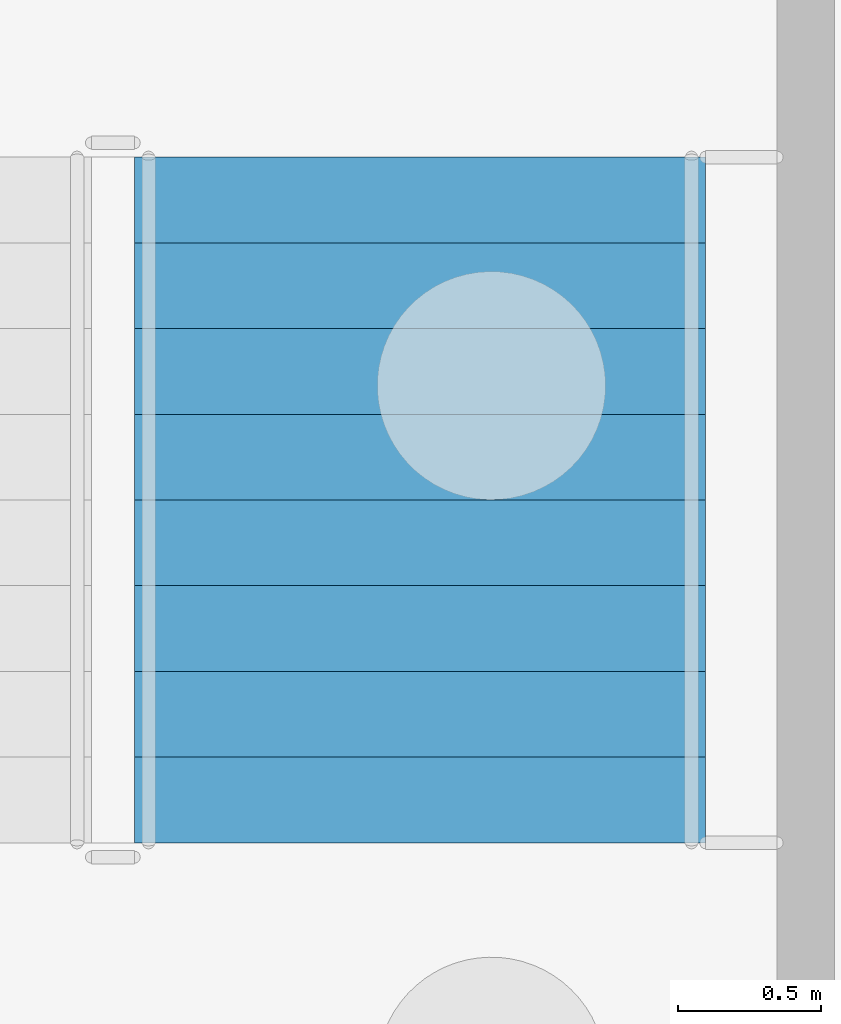
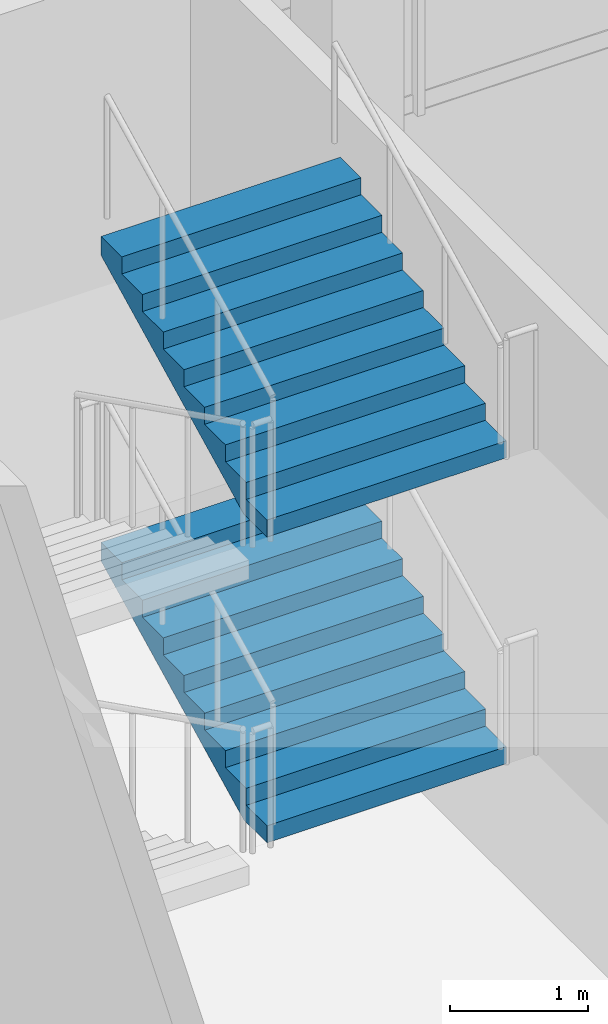
# One storey, part 89 of 129: 2 stair flights, 1 element without a shape of its own.
"""IFC4 building model written with IfcOpenShell, lengths in metres."""

from ifc_helpers import new_model, si_unit, direction, frame, origin, place, context, subcontext, project, spatial, faceted_brep, material, type_object, element, aggregate, save


model = new_model("IFC4")

# Units and contexts
model_context = context("Model", 3, precision=1e-05, world=origin(), true_north=direction((0.0, 1.0)))
body_context = subcontext(model_context, "Body", "Model", "MODEL_VIEW")
ifc_project = project(units=[si_unit("LENGTHUNIT", "METRE"), si_unit("AREAUNIT", "SQUARE_METRE"), si_unit("VOLUMEUNIT", "CUBIC_METRE"), si_unit("PLANEANGLEUNIT", "RADIAN"), si_unit("MASSUNIT", "GRAM", prefix="KILO")], contexts=[model_context])

# Site, building, storey
site_placement = place(None, origin())
site = spatial("IfcSite", under=ifc_project, at=site_placement, CompositionType="ELEMENT")
building_placement = place(site_placement, origin())
building = spatial("IfcBuilding", under=site, at=building_placement, Name="Kiln Court Media Centre", CompositionType="ELEMENT")
storey_placement = place(building_placement, origin())
storey = spatial("IfcBuildingStorey", under=building, at=storey_placement, Name="L00", CompositionType="ELEMENT", Elevation=0.0)

# Stair, stair flights
ifc_material_1 = material(Name="Concrete C40/50", Category="concrete")
stair_type = type_object("IfcStairType", Name="Concrete C40/50 dog-leg stair 2000 wide, 150 riser", PredefinedType="HALF_TURN_STAIR", material=ifc_material_1)
stair_placement = place(storey_placement, origin())
stair = element("IfcStair", 1, at=stair_placement, inside=storey, type_object=stair_type, Name="ST-08 L00", PredefinedType="HALF_TURN_STAIR")
ifc_material_2 = material(Name="Concrete C40/50", Category="concrete")
stair_flight_type = type_object("IfcStairFlightType", Name="Concrete C40/50 stair flight 2000 wide, 150 riser, 300 going", PredefinedType="STRAIGHT", material=ifc_material_2)
stair_flight_1_placement = place(storey_placement, frame((32.14990234375, 62.0, 1.35009765625), z_axis=(0.0, 0.0, 1.0), x_axis=(0.0, 1.0, 0.0)))
stair_flight_1 = element("IfcStairFlight", 2, at=stair_flight_1_placement, type_object=stair_flight_type, Name="L00-ST-5007 flight 5029", NumberOfRisers=9, NumberOfTreads=8, PredefinedType="STRAIGHT", RiserHeight=0.15, TreadLength=0.3, context=body_context, shape_type="Brep", body=[
    faceted_brep([(0.335205078125, -1.0, 0.0), (2.39990234375, -1.0, 1.032470703125), (2.39990234375, -1.0, 1.199951171875), (2.10009765625, -1.0, 1.199951171875), (2.10009765625, -1.0, 1.050048828125), (1.800048828125, -1.0, 1.050048828125), (1.800048828125, -1.0, 0.89990234375), (1.5, -1.0, 0.89990234375), (1.5, -1.0, 0.75), (1.199951171875, -1.0, 0.75), (1.199951171875, -1.0, 0.60009765625), (0.89990234375, -1.0, 0.60009765625), (0.89990234375, -1.0, 0.449951171875), (0.60009765625, -1.0, 0.449951171875), (0.60009765625, -1.0, 0.300048828125), (0.300048828125, -1.0, 0.300048828125), (0.300048828125, -1.0, 0.14990234375), (0.0, -1.0, 0.14990234375), (0.0, -1.0, 0.0), (0.0, 1.0, 0.0), (0.0, 1.0, 0.14990234375), (0.300048828125, 1.0, 0.14990234375), (0.300048828125, 1.0, 0.300048828125), (0.60009765625, 1.0, 0.300048828125), (0.60009765625, 1.0, 0.449951171875), (0.89990234375, 1.0, 0.449951171875), (0.89990234375, 1.0, 0.60009765625), (1.199951171875, 1.0, 0.60009765625), (1.199951171875, 1.0, 0.75), (1.5, 1.0, 0.75), (1.5, 1.0, 0.89990234375), (1.800048828125, 1.0, 0.89990234375), (1.800048828125, 1.0, 1.050048828125), (2.10009765625, 1.0, 1.050048828125), (2.10009765625, 1.0, 1.199951171875), (2.39990234375, 1.0, 1.199951171875), (2.39990234375, 1.0, 1.032470703125), (0.335205078125, 1.0, 0.0), (2.39990234375, 0.10009765625, 1.032470703125), (0.335205078125, 0.10009765625, 0.0), (2.39990234375, 0.080078125, 1.032470703125), (0.335205078125, 0.080078125, 0.0), (2.39990234375, 0.06005859375, 1.032470703125), (0.335205078125, 0.06005859375, 0.0), (2.39990234375, 0.0400390625, 1.032470703125), (0.335205078125, 0.0400390625, 0.0), (2.39990234375, 0.02001953125, 1.032470703125), (0.335205078125, 0.02001953125, 0.0), (2.39990234375, 0.0, 1.032470703125), (0.335205078125, 0.0, 0.0), (2.39990234375, -0.02001953125, 1.032470703125), (0.335205078125, -0.02001953125, 0.0), (2.39990234375, -0.0400390625, 1.032470703125), (0.335205078125, -0.0400390625, 0.0), (2.39990234375, -0.06005859375, 1.032470703125), (0.335205078125, -0.06005859375, 0.0), (2.39990234375, -0.080078125, 1.032470703125), (0.335205078125, -0.080078125, 0.0), (2.39990234375, -0.10009765625, 1.032470703125), (0.335205078125, -0.10009765625, 0.0), (2.39990234375, 0.10009765625, 1.199951171875), (2.39990234375, 0.080078125, 1.199951171875), (2.39990234375, 0.06005859375, 1.199951171875), (2.39990234375, 0.0400390625, 1.199951171875), (2.39990234375, 0.02001953125, 1.199951171875), (2.39990234375, 0.0, 1.199951171875), (2.39990234375, -0.02001953125, 1.199951171875), (2.39990234375, -0.0400390625, 1.199951171875), (2.39990234375, -0.06005859375, 1.199951171875), (2.39990234375, -0.080078125, 1.199951171875), (2.39990234375, -0.10009765625, 1.199951171875), (2.10009765625, 0.10009765625, 1.199951171875), (2.10009765625, 0.080078125, 1.199951171875), (2.10009765625, 0.06005859375, 1.199951171875), (2.10009765625, 0.0400390625, 1.199951171875), (2.10009765625, 0.02001953125, 1.199951171875), (2.10009765625, 0.0, 1.199951171875), (2.10009765625, -0.02001953125, 1.199951171875), (2.10009765625, -0.0400390625, 1.199951171875), (2.10009765625, -0.06005859375, 1.199951171875), (2.10009765625, -0.080078125, 1.199951171875), (2.10009765625, -0.10009765625, 1.199951171875), (2.10009765625, 0.10009765625, 1.050048828125), (2.10009765625, 0.080078125, 1.050048828125), (2.10009765625, 0.06005859375, 1.050048828125), (2.10009765625, 0.0400390625, 1.050048828125), (2.10009765625, 0.02001953125, 1.050048828125), (2.10009765625, 0.0, 1.050048828125), (2.10009765625, -0.02001953125, 1.050048828125), (2.10009765625, -0.0400390625, 1.050048828125), (2.10009765625, -0.06005859375, 1.050048828125), (2.10009765625, -0.080078125, 1.050048828125), (2.10009765625, -0.10009765625, 1.050048828125), (1.800048828125, 0.10009765625, 1.050048828125), (1.800048828125, 0.080078125, 1.050048828125), (1.800048828125, 0.06005859375, 1.050048828125), (1.800048828125, 0.0400390625, 1.050048828125), (1.800048828125, 0.02001953125, 1.050048828125), (1.800048828125, 0.0, 1.050048828125), (1.800048828125, -0.02001953125, 1.050048828125), (1.800048828125, -0.0400390625, 1.050048828125), (1.800048828125, -0.06005859375, 1.050048828125), (1.800048828125, -0.080078125, 1.050048828125), (1.800048828125, -0.10009765625, 1.050048828125), (1.800048828125, 0.10009765625, 0.89990234375), (1.800048828125, 0.080078125, 0.89990234375), (1.800048828125, 0.06005859375, 0.89990234375), (1.800048828125, 0.0400390625, 0.89990234375), (1.800048828125, 0.02001953125, 0.89990234375), (1.800048828125, 0.0, 0.89990234375), (1.800048828125, -0.02001953125, 0.89990234375), (1.800048828125, -0.0400390625, 0.89990234375), (1.800048828125, -0.06005859375, 0.89990234375), (1.800048828125, -0.080078125, 0.89990234375), (1.800048828125, -0.10009765625, 0.89990234375), (1.5, 0.10009765625, 0.89990234375), (1.5, 0.080078125, 0.89990234375), (1.5, 0.06005859375, 0.89990234375), (1.5, 0.0400390625, 0.89990234375), (1.5, 0.02001953125, 0.89990234375), (1.5, 0.0, 0.89990234375), (1.5, -0.02001953125, 0.89990234375), (1.5, -0.0400390625, 0.89990234375), (1.5, -0.06005859375, 0.89990234375), (1.5, -0.080078125, 0.89990234375), (1.5, -0.10009765625, 0.89990234375), (1.5, 0.10009765625, 0.75), (1.5, 0.080078125, 0.75), (1.5, 0.06005859375, 0.75), (1.5, 0.0400390625, 0.75), (1.5, 0.02001953125, 0.75), (1.5, 0.0, 0.75), (1.5, -0.02001953125, 0.75), (1.5, -0.0400390625, 0.75), (1.5, -0.06005859375, 0.75), (1.5, -0.080078125, 0.75), (1.5, -0.10009765625, 0.75), (1.199951171875, 0.10009765625, 0.75), (1.199951171875, 0.080078125, 0.75), (1.199951171875, 0.06005859375, 0.75), (1.199951171875, 0.0400390625, 0.75), (1.199951171875, 0.02001953125, 0.75), (1.199951171875, 0.0, 0.75), (1.199951171875, -0.02001953125, 0.75), (1.199951171875, -0.0400390625, 0.75), (1.199951171875, -0.06005859375, 0.75), (1.199951171875, -0.080078125, 0.75), (1.199951171875, -0.10009765625, 0.75), (1.199951171875, 0.10009765625, 0.60009765625), (1.199951171875, 0.080078125, 0.60009765625), (1.199951171875, 0.06005859375, 0.60009765625), (1.199951171875, 0.0400390625, 0.60009765625), (1.199951171875, 0.02001953125, 0.60009765625), (1.199951171875, 0.0, 0.60009765625), (1.199951171875, -0.02001953125, 0.60009765625), (1.199951171875, -0.0400390625, 0.60009765625), (1.199951171875, -0.06005859375, 0.60009765625), (1.199951171875, -0.080078125, 0.60009765625), (1.199951171875, -0.10009765625, 0.60009765625), (0.89990234375, 0.10009765625, 0.60009765625), (0.89990234375, 0.080078125, 0.60009765625), (0.89990234375, 0.06005859375, 0.60009765625), (0.89990234375, 0.0400390625, 0.60009765625), (0.89990234375, 0.02001953125, 0.60009765625), (0.89990234375, 0.0, 0.60009765625), (0.89990234375, -0.02001953125, 0.60009765625), (0.89990234375, -0.0400390625, 0.60009765625), (0.89990234375, -0.06005859375, 0.60009765625), (0.89990234375, -0.080078125, 0.60009765625), (0.89990234375, -0.10009765625, 0.60009765625), (0.89990234375, 0.10009765625, 0.449951171875), (0.89990234375, 0.080078125, 0.449951171875), (0.89990234375, 0.06005859375, 0.449951171875), (0.89990234375, 0.0400390625, 0.449951171875), (0.89990234375, 0.02001953125, 0.449951171875), (0.89990234375, 0.0, 0.449951171875), (0.89990234375, -0.02001953125, 0.449951171875), (0.89990234375, -0.0400390625, 0.449951171875), (0.89990234375, -0.06005859375, 0.449951171875), (0.89990234375, -0.080078125, 0.449951171875), (0.89990234375, -0.10009765625, 0.449951171875), (0.60009765625, 0.10009765625, 0.449951171875), (0.60009765625, 0.080078125, 0.449951171875), (0.60009765625, 0.06005859375, 0.449951171875), (0.60009765625, 0.0400390625, 0.449951171875), (0.60009765625, 0.02001953125, 0.449951171875), (0.60009765625, 0.0, 0.449951171875), (0.60009765625, -0.02001953125, 0.449951171875), (0.60009765625, -0.0400390625, 0.449951171875), (0.60009765625, -0.06005859375, 0.449951171875), (0.60009765625, -0.080078125, 0.449951171875), (0.60009765625, -0.10009765625, 0.449951171875), (0.60009765625, 0.10009765625, 0.300048828125), (0.60009765625, 0.080078125, 0.300048828125), (0.60009765625, 0.06005859375, 0.300048828125), (0.60009765625, 0.0400390625, 0.300048828125), (0.60009765625, 0.02001953125, 0.300048828125), (0.60009765625, 0.0, 0.300048828125), (0.60009765625, -0.02001953125, 0.300048828125), (0.60009765625, -0.0400390625, 0.300048828125), (0.60009765625, -0.06005859375, 0.300048828125), (0.60009765625, -0.080078125, 0.300048828125), (0.60009765625, -0.10009765625, 0.300048828125), (0.300048828125, 0.10009765625, 0.300048828125), (0.300048828125, 0.080078125, 0.300048828125), (0.300048828125, 0.06005859375, 0.300048828125), (0.300048828125, 0.0400390625, 0.300048828125), (0.300048828125, 0.02001953125, 0.300048828125), (0.300048828125, 0.0, 0.300048828125), (0.300048828125, -0.02001953125, 0.300048828125), (0.300048828125, -0.0400390625, 0.300048828125), (0.300048828125, -0.06005859375, 0.300048828125), (0.300048828125, -0.080078125, 0.300048828125), (0.300048828125, -0.10009765625, 0.300048828125), (0.300048828125, 0.10009765625, 0.14990234375), (0.300048828125, 0.080078125, 0.14990234375), (0.300048828125, 0.06005859375, 0.14990234375), (0.300048828125, 0.0400390625, 0.14990234375), (0.300048828125, 0.02001953125, 0.14990234375), (0.300048828125, 0.0, 0.14990234375), (0.300048828125, -0.02001953125, 0.14990234375), (0.300048828125, -0.0400390625, 0.14990234375), (0.300048828125, -0.06005859375, 0.14990234375), (0.300048828125, -0.080078125, 0.14990234375), (0.300048828125, -0.10009765625, 0.14990234375), (0.0, 0.10009765625, 0.14990234375), (0.0, 0.080078125, 0.14990234375), (0.0, 0.06005859375, 0.14990234375), (0.0, 0.0400390625, 0.14990234375), (0.0, 0.02001953125, 0.14990234375), (0.0, 0.0, 0.14990234375), (0.0, -0.02001953125, 0.14990234375), (0.0, -0.0400390625, 0.14990234375), (0.0, -0.06005859375, 0.14990234375), (0.0, -0.080078125, 0.14990234375), (0.0, -0.10009765625, 0.14990234375), (0.0, 0.10009765625, 0.0), (0.0, 0.080078125, 0.0), (0.0, 0.06005859375, 0.0), (0.0, 0.0400390625, 0.0), (0.0, 0.02001953125, 0.0), (0.0, 0.0, 0.0), (0.0, -0.02001953125, 0.0), (0.0, -0.0400390625, 0.0), (0.0, -0.06005859375, 0.0), (0.0, -0.080078125, 0.0), (0.0, -0.10009765625, 0.0)], [[[0, 1, 2, 3, 4, 5, 6, 7, 8, 9, 10, 11, 12, 13, 14, 15, 16, 17, 18]], [[19, 20, 21, 22, 23, 24, 25, 26, 27, 28, 29, 30, 31, 32, 33, 34, 35, 36, 37]], [[37, 36, 38, 39]], [[39, 38, 40, 41]], [[41, 40, 42, 43]], [[43, 42, 44, 45]], [[45, 44, 46, 47]], [[47, 46, 48, 49]], [[49, 48, 50, 51]], [[51, 50, 52, 53]], [[53, 52, 54, 55]], [[55, 54, 56, 57]], [[57, 56, 58, 59]], [[59, 58, 1, 0]], [[36, 35, 60, 38]], [[38, 60, 61, 40]], [[40, 61, 62, 42]], [[42, 62, 63, 44]], [[44, 63, 64, 46]], [[46, 64, 65, 48]], [[48, 65, 66, 50]], [[50, 66, 67, 52]], [[52, 67, 68, 54]], [[54, 68, 69, 56]], [[56, 69, 70, 58]], [[58, 70, 2, 1]], [[35, 34, 71, 60]], [[60, 71, 72, 61]], [[61, 72, 73, 62]], [[62, 73, 74, 63]], [[63, 74, 75, 64]], [[64, 75, 76, 65]], [[65, 76, 77, 66]], [[66, 77, 78, 67]], [[67, 78, 79, 68]], [[68, 79, 80, 69]], [[69, 80, 81, 70]], [[70, 81, 3, 2]], [[34, 33, 82, 71]], [[71, 82, 83, 72]], [[72, 83, 84, 73]], [[73, 84, 85, 74]], [[74, 85, 86, 75]], [[75, 86, 87, 76]], [[76, 87, 88, 77]], [[77, 88, 89, 78]], [[78, 89, 90, 79]], [[79, 90, 91, 80]], [[80, 91, 92, 81]], [[81, 92, 4, 3]], [[33, 32, 93, 82]], [[82, 93, 94, 83]], [[83, 94, 95, 84]], [[84, 95, 96, 85]], [[85, 96, 97, 86]], [[86, 97, 98, 87]], [[87, 98, 99, 88]], [[88, 99, 100, 89]], [[89, 100, 101, 90]], [[90, 101, 102, 91]], [[91, 102, 103, 92]], [[92, 103, 5, 4]], [[32, 31, 104, 93]], [[93, 104, 105, 94]], [[94, 105, 106, 95]], [[95, 106, 107, 96]], [[96, 107, 108, 97]], [[97, 108, 109, 98]], [[98, 109, 110, 99]], [[99, 110, 111, 100]], [[100, 111, 112, 101]], [[101, 112, 113, 102]], [[102, 113, 114, 103]], [[103, 114, 6, 5]], [[31, 30, 115, 104]], [[104, 115, 116, 105]], [[105, 116, 117, 106]], [[106, 117, 118, 107]], [[107, 118, 119, 108]], [[108, 119, 120, 109]], [[109, 120, 121, 110]], [[110, 121, 122, 111]], [[111, 122, 123, 112]], [[112, 123, 124, 113]], [[113, 124, 125, 114]], [[114, 125, 7, 6]], [[30, 29, 126, 115]], [[115, 126, 127, 116]], [[116, 127, 128, 117]], [[117, 128, 129, 118]], [[118, 129, 130, 119]], [[119, 130, 131, 120]], [[120, 131, 132, 121]], [[121, 132, 133, 122]], [[122, 133, 134, 123]], [[123, 134, 135, 124]], [[124, 135, 136, 125]], [[125, 136, 8, 7]], [[29, 28, 137, 126]], [[126, 137, 138, 127]], [[127, 138, 139, 128]], [[128, 139, 140, 129]], [[129, 140, 141, 130]], [[130, 141, 142, 131]], [[131, 142, 143, 132]], [[132, 143, 144, 133]], [[133, 144, 145, 134]], [[134, 145, 146, 135]], [[135, 146, 147, 136]], [[136, 147, 9, 8]], [[28, 27, 148, 137]], [[137, 148, 149, 138]], [[138, 149, 150, 139]], [[139, 150, 151, 140]], [[140, 151, 152, 141]], [[141, 152, 153, 142]], [[142, 153, 154, 143]], [[143, 154, 155, 144]], [[144, 155, 156, 145]], [[145, 156, 157, 146]], [[146, 157, 158, 147]], [[147, 158, 10, 9]], [[27, 26, 159, 148]], [[148, 159, 160, 149]], [[149, 160, 161, 150]], [[150, 161, 162, 151]], [[151, 162, 163, 152]], [[152, 163, 164, 153]], [[153, 164, 165, 154]], [[154, 165, 166, 155]], [[155, 166, 167, 156]], [[156, 167, 168, 157]], [[157, 168, 169, 158]], [[158, 169, 11, 10]], [[26, 25, 170, 159]], [[159, 170, 171, 160]], [[160, 171, 172, 161]], [[161, 172, 173, 162]], [[162, 173, 174, 163]], [[163, 174, 175, 164]], [[164, 175, 176, 165]], [[165, 176, 177, 166]], [[166, 177, 178, 167]], [[167, 178, 179, 168]], [[168, 179, 180, 169]], [[169, 180, 12, 11]], [[25, 24, 181, 170]], [[170, 181, 182, 171]], [[171, 182, 183, 172]], [[172, 183, 184, 173]], [[173, 184, 185, 174]], [[174, 185, 186, 175]], [[175, 186, 187, 176]], [[176, 187, 188, 177]], [[177, 188, 189, 178]], [[178, 189, 190, 179]], [[179, 190, 191, 180]], [[180, 191, 13, 12]], [[24, 23, 192, 181]], [[181, 192, 193, 182]], [[182, 193, 194, 183]], [[183, 194, 195, 184]], [[184, 195, 196, 185]], [[185, 196, 197, 186]], [[186, 197, 198, 187]], [[187, 198, 199, 188]], [[188, 199, 200, 189]], [[189, 200, 201, 190]], [[190, 201, 202, 191]], [[191, 202, 14, 13]], [[23, 22, 203, 192]], [[192, 203, 204, 193]], [[193, 204, 205, 194]], [[194, 205, 206, 195]], [[195, 206, 207, 196]], [[196, 207, 208, 197]], [[197, 208, 209, 198]], [[198, 209, 210, 199]], [[199, 210, 211, 200]], [[200, 211, 212, 201]], [[201, 212, 213, 202]], [[202, 213, 15, 14]], [[22, 21, 214, 203]], [[203, 214, 215, 204]], [[204, 215, 216, 205]], [[205, 216, 217, 206]], [[206, 217, 218, 207]], [[207, 218, 219, 208]], [[208, 219, 220, 209]], [[209, 220, 221, 210]], [[210, 221, 222, 211]], [[211, 222, 223, 212]], [[212, 223, 224, 213]], [[213, 224, 16, 15]], [[21, 20, 225, 214]], [[214, 225, 226, 215]], [[215, 226, 227, 216]], [[216, 227, 228, 217]], [[217, 228, 229, 218]], [[218, 229, 230, 219]], [[219, 230, 231, 220]], [[220, 231, 232, 221]], [[221, 232, 233, 222]], [[222, 233, 234, 223]], [[223, 234, 235, 224]], [[224, 235, 17, 16]], [[20, 19, 236, 225]], [[225, 236, 237, 226]], [[226, 237, 238, 227]], [[227, 238, 239, 228]], [[228, 239, 240, 229]], [[229, 240, 241, 230]], [[230, 241, 242, 231]], [[231, 242, 243, 232]], [[232, 243, 244, 233]], [[233, 244, 245, 234]], [[234, 245, 246, 235]], [[235, 246, 18, 17]], [[19, 37, 39, 236]], [[236, 39, 41, 237]], [[237, 41, 43, 238]], [[238, 43, 45, 239]], [[239, 45, 47, 240]], [[240, 47, 49, 241]], [[241, 49, 51, 242]], [[242, 51, 53, 243]], [[243, 53, 55, 244]], [[244, 55, 57, 245]], [[245, 57, 59, 246]], [[246, 59, 0, 18]]]),
])
stair_flight_2_placement = place(storey_placement, frame((32.14990234375, 62.0, 4.050048828125), z_axis=(0.0, 0.0, 1.0), x_axis=(0.0, 1.0, 0.0)))
stair_flight_2 = element("IfcStairFlight", 3, at=stair_flight_2_placement, type_object=stair_flight_type, Name="L00-ST-5007 flight 5031", NumberOfRisers=9, NumberOfTreads=8, PredefinedType="STRAIGHT", RiserHeight=0.15, TreadLength=0.3, context=body_context, shape_type="Brep", body=[
    faceted_brep([(0.335205078125, -1.0, 0.0), (2.39990234375, -1.0, 1.032470703125), (2.39990234375, -1.0, 1.199951171875), (2.10009765625, -1.0, 1.199951171875), (2.10009765625, -1.0, 1.050048828125), (1.800048828125, -1.0, 1.050048828125), (1.800048828125, -1.0, 0.89990234375), (1.5, -1.0, 0.89990234375), (1.5, -1.0, 0.75), (1.199951171875, -1.0, 0.75), (1.199951171875, -1.0, 0.60009765625), (0.89990234375, -1.0, 0.60009765625), (0.89990234375, -1.0, 0.449951171875), (0.60009765625, -1.0, 0.449951171875), (0.60009765625, -1.0, 0.300048828125), (0.300048828125, -1.0, 0.300048828125), (0.300048828125, -1.0, 0.14990234375), (0.0, -1.0, 0.14990234375), (0.0, -1.0, 0.0), (0.0, 1.0, 0.0), (0.0, 1.0, 0.14990234375), (0.300048828125, 1.0, 0.14990234375), (0.300048828125, 1.0, 0.300048828125), (0.60009765625, 1.0, 0.300048828125), (0.60009765625, 1.0, 0.449951171875), (0.89990234375, 1.0, 0.449951171875), (0.89990234375, 1.0, 0.60009765625), (1.199951171875, 1.0, 0.60009765625), (1.199951171875, 1.0, 0.75), (1.5, 1.0, 0.75), (1.5, 1.0, 0.89990234375), (1.800048828125, 1.0, 0.89990234375), (1.800048828125, 1.0, 1.050048828125), (2.10009765625, 1.0, 1.050048828125), (2.10009765625, 1.0, 1.199951171875), (2.39990234375, 1.0, 1.199951171875), (2.39990234375, 1.0, 1.032470703125), (0.335205078125, 1.0, 0.0), (2.39990234375, 0.10009765625, 1.032470703125), (0.335205078125, 0.10009765625, 0.0), (2.39990234375, 0.080078125, 1.032470703125), (0.335205078125, 0.080078125, 0.0), (2.39990234375, 0.06005859375, 1.032470703125), (0.335205078125, 0.06005859375, 0.0), (2.39990234375, 0.0400390625, 1.032470703125), (0.335205078125, 0.0400390625, 0.0), (2.39990234375, 0.02001953125, 1.032470703125), (0.335205078125, 0.02001953125, 0.0), (2.39990234375, 0.0, 1.032470703125), (0.335205078125, 0.0, 0.0), (2.39990234375, -0.02001953125, 1.032470703125), (0.335205078125, -0.02001953125, 0.0), (2.39990234375, -0.0400390625, 1.032470703125), (0.335205078125, -0.0400390625, 0.0), (2.39990234375, -0.06005859375, 1.032470703125), (0.335205078125, -0.06005859375, 0.0), (2.39990234375, -0.080078125, 1.032470703125), (0.335205078125, -0.080078125, 0.0), (2.39990234375, -0.10009765625, 1.032470703125), (0.335205078125, -0.10009765625, 0.0), (2.39990234375, 0.10009765625, 1.199951171875), (2.39990234375, 0.080078125, 1.199951171875), (2.39990234375, 0.06005859375, 1.199951171875), (2.39990234375, 0.0400390625, 1.199951171875), (2.39990234375, 0.02001953125, 1.199951171875), (2.39990234375, 0.0, 1.199951171875), (2.39990234375, -0.02001953125, 1.199951171875), (2.39990234375, -0.0400390625, 1.199951171875), (2.39990234375, -0.06005859375, 1.199951171875), (2.39990234375, -0.080078125, 1.199951171875), (2.39990234375, -0.10009765625, 1.199951171875), (2.10009765625, 0.10009765625, 1.199951171875), (2.10009765625, 0.080078125, 1.199951171875), (2.10009765625, 0.06005859375, 1.199951171875), (2.10009765625, 0.0400390625, 1.199951171875), (2.10009765625, 0.02001953125, 1.199951171875), (2.10009765625, 0.0, 1.199951171875), (2.10009765625, -0.02001953125, 1.199951171875), (2.10009765625, -0.0400390625, 1.199951171875), (2.10009765625, -0.06005859375, 1.199951171875), (2.10009765625, -0.080078125, 1.199951171875), (2.10009765625, -0.10009765625, 1.199951171875), (2.10009765625, 0.10009765625, 1.050048828125), (2.10009765625, 0.080078125, 1.050048828125), (2.10009765625, 0.06005859375, 1.050048828125), (2.10009765625, 0.0400390625, 1.050048828125), (2.10009765625, 0.02001953125, 1.050048828125), (2.10009765625, 0.0, 1.050048828125), (2.10009765625, -0.02001953125, 1.050048828125), (2.10009765625, -0.0400390625, 1.050048828125), (2.10009765625, -0.06005859375, 1.050048828125), (2.10009765625, -0.080078125, 1.050048828125), (2.10009765625, -0.10009765625, 1.050048828125), (1.800048828125, 0.10009765625, 1.050048828125), (1.800048828125, 0.080078125, 1.050048828125), (1.800048828125, 0.06005859375, 1.050048828125), (1.800048828125, 0.0400390625, 1.050048828125), (1.800048828125, 0.02001953125, 1.050048828125), (1.800048828125, 0.0, 1.050048828125), (1.800048828125, -0.02001953125, 1.050048828125), (1.800048828125, -0.0400390625, 1.050048828125), (1.800048828125, -0.06005859375, 1.050048828125), (1.800048828125, -0.080078125, 1.050048828125), (1.800048828125, -0.10009765625, 1.050048828125), (1.800048828125, 0.10009765625, 0.89990234375), (1.800048828125, 0.080078125, 0.89990234375), (1.800048828125, 0.06005859375, 0.89990234375), (1.800048828125, 0.0400390625, 0.89990234375), (1.800048828125, 0.02001953125, 0.89990234375), (1.800048828125, 0.0, 0.89990234375), (1.800048828125, -0.02001953125, 0.89990234375), (1.800048828125, -0.0400390625, 0.89990234375), (1.800048828125, -0.06005859375, 0.89990234375), (1.800048828125, -0.080078125, 0.89990234375), (1.800048828125, -0.10009765625, 0.89990234375), (1.5, 0.10009765625, 0.89990234375), (1.5, 0.080078125, 0.89990234375), (1.5, 0.06005859375, 0.89990234375), (1.5, 0.0400390625, 0.89990234375), (1.5, 0.02001953125, 0.89990234375), (1.5, 0.0, 0.89990234375), (1.5, -0.02001953125, 0.89990234375), (1.5, -0.0400390625, 0.89990234375), (1.5, -0.06005859375, 0.89990234375), (1.5, -0.080078125, 0.89990234375), (1.5, -0.10009765625, 0.89990234375), (1.5, 0.10009765625, 0.75), (1.5, 0.080078125, 0.75), (1.5, 0.06005859375, 0.75), (1.5, 0.0400390625, 0.75), (1.5, 0.02001953125, 0.75), (1.5, 0.0, 0.75), (1.5, -0.02001953125, 0.75), (1.5, -0.0400390625, 0.75), (1.5, -0.06005859375, 0.75), (1.5, -0.080078125, 0.75), (1.5, -0.10009765625, 0.75), (1.199951171875, 0.10009765625, 0.75), (1.199951171875, 0.080078125, 0.75), (1.199951171875, 0.06005859375, 0.75), (1.199951171875, 0.0400390625, 0.75), (1.199951171875, 0.02001953125, 0.75), (1.199951171875, 0.0, 0.75), (1.199951171875, -0.02001953125, 0.75), (1.199951171875, -0.0400390625, 0.75), (1.199951171875, -0.06005859375, 0.75), (1.199951171875, -0.080078125, 0.75), (1.199951171875, -0.10009765625, 0.75), (1.199951171875, 0.10009765625, 0.60009765625), (1.199951171875, 0.080078125, 0.60009765625), (1.199951171875, 0.06005859375, 0.60009765625), (1.199951171875, 0.0400390625, 0.60009765625), (1.199951171875, 0.02001953125, 0.60009765625), (1.199951171875, 0.0, 0.60009765625), (1.199951171875, -0.02001953125, 0.60009765625), (1.199951171875, -0.0400390625, 0.60009765625), (1.199951171875, -0.06005859375, 0.60009765625), (1.199951171875, -0.080078125, 0.60009765625), (1.199951171875, -0.10009765625, 0.60009765625), (0.89990234375, 0.10009765625, 0.60009765625), (0.89990234375, 0.080078125, 0.60009765625), (0.89990234375, 0.06005859375, 0.60009765625), (0.89990234375, 0.0400390625, 0.60009765625), (0.89990234375, 0.02001953125, 0.60009765625), (0.89990234375, 0.0, 0.60009765625), (0.89990234375, -0.02001953125, 0.60009765625), (0.89990234375, -0.0400390625, 0.60009765625), (0.89990234375, -0.06005859375, 0.60009765625), (0.89990234375, -0.080078125, 0.60009765625), (0.89990234375, -0.10009765625, 0.60009765625), (0.89990234375, 0.10009765625, 0.449951171875), (0.89990234375, 0.080078125, 0.449951171875), (0.89990234375, 0.06005859375, 0.449951171875), (0.89990234375, 0.0400390625, 0.449951171875), (0.89990234375, 0.02001953125, 0.449951171875), (0.89990234375, 0.0, 0.449951171875), (0.89990234375, -0.02001953125, 0.449951171875), (0.89990234375, -0.0400390625, 0.449951171875), (0.89990234375, -0.06005859375, 0.449951171875), (0.89990234375, -0.080078125, 0.449951171875), (0.89990234375, -0.10009765625, 0.449951171875), (0.60009765625, 0.10009765625, 0.449951171875), (0.60009765625, 0.080078125, 0.449951171875), (0.60009765625, 0.06005859375, 0.449951171875), (0.60009765625, 0.0400390625, 0.449951171875), (0.60009765625, 0.02001953125, 0.449951171875), (0.60009765625, 0.0, 0.449951171875), (0.60009765625, -0.02001953125, 0.449951171875), (0.60009765625, -0.0400390625, 0.449951171875), (0.60009765625, -0.06005859375, 0.449951171875), (0.60009765625, -0.080078125, 0.449951171875), (0.60009765625, -0.10009765625, 0.449951171875), (0.60009765625, 0.10009765625, 0.300048828125), (0.60009765625, 0.080078125, 0.300048828125), (0.60009765625, 0.06005859375, 0.300048828125), (0.60009765625, 0.0400390625, 0.300048828125), (0.60009765625, 0.02001953125, 0.300048828125), (0.60009765625, 0.0, 0.300048828125), (0.60009765625, -0.02001953125, 0.300048828125), (0.60009765625, -0.0400390625, 0.300048828125), (0.60009765625, -0.06005859375, 0.300048828125), (0.60009765625, -0.080078125, 0.300048828125), (0.60009765625, -0.10009765625, 0.300048828125), (0.300048828125, 0.10009765625, 0.300048828125), (0.300048828125, 0.080078125, 0.300048828125), (0.300048828125, 0.06005859375, 0.300048828125), (0.300048828125, 0.0400390625, 0.300048828125), (0.300048828125, 0.02001953125, 0.300048828125), (0.300048828125, 0.0, 0.300048828125), (0.300048828125, -0.02001953125, 0.300048828125), (0.300048828125, -0.0400390625, 0.300048828125), (0.300048828125, -0.06005859375, 0.300048828125), (0.300048828125, -0.080078125, 0.300048828125), (0.300048828125, -0.10009765625, 0.300048828125), (0.300048828125, 0.10009765625, 0.14990234375), (0.300048828125, 0.080078125, 0.14990234375), (0.300048828125, 0.06005859375, 0.14990234375), (0.300048828125, 0.0400390625, 0.14990234375), (0.300048828125, 0.02001953125, 0.14990234375), (0.300048828125, 0.0, 0.14990234375), (0.300048828125, -0.02001953125, 0.14990234375), (0.300048828125, -0.0400390625, 0.14990234375), (0.300048828125, -0.06005859375, 0.14990234375), (0.300048828125, -0.080078125, 0.14990234375), (0.300048828125, -0.10009765625, 0.14990234375), (0.0, 0.10009765625, 0.14990234375), (0.0, 0.080078125, 0.14990234375), (0.0, 0.06005859375, 0.14990234375), (0.0, 0.0400390625, 0.14990234375), (0.0, 0.02001953125, 0.14990234375), (0.0, 0.0, 0.14990234375), (0.0, -0.02001953125, 0.14990234375), (0.0, -0.0400390625, 0.14990234375), (0.0, -0.06005859375, 0.14990234375), (0.0, -0.080078125, 0.14990234375), (0.0, -0.10009765625, 0.14990234375), (0.0, 0.10009765625, 0.0), (0.0, 0.080078125, 0.0), (0.0, 0.06005859375, 0.0), (0.0, 0.0400390625, 0.0), (0.0, 0.02001953125, 0.0), (0.0, 0.0, 0.0), (0.0, -0.02001953125, 0.0), (0.0, -0.0400390625, 0.0), (0.0, -0.06005859375, 0.0), (0.0, -0.080078125, 0.0), (0.0, -0.10009765625, 0.0)], [[[0, 1, 2, 3, 4, 5, 6, 7, 8, 9, 10, 11, 12, 13, 14, 15, 16, 17, 18]], [[19, 20, 21, 22, 23, 24, 25, 26, 27, 28, 29, 30, 31, 32, 33, 34, 35, 36, 37]], [[37, 36, 38, 39]], [[39, 38, 40, 41]], [[41, 40, 42, 43]], [[43, 42, 44, 45]], [[45, 44, 46, 47]], [[47, 46, 48, 49]], [[49, 48, 50, 51]], [[51, 50, 52, 53]], [[53, 52, 54, 55]], [[55, 54, 56, 57]], [[57, 56, 58, 59]], [[59, 58, 1, 0]], [[36, 35, 60, 38]], [[38, 60, 61, 40]], [[40, 61, 62, 42]], [[42, 62, 63, 44]], [[44, 63, 64, 46]], [[46, 64, 65, 48]], [[48, 65, 66, 50]], [[50, 66, 67, 52]], [[52, 67, 68, 54]], [[54, 68, 69, 56]], [[56, 69, 70, 58]], [[58, 70, 2, 1]], [[35, 34, 71, 60]], [[60, 71, 72, 61]], [[61, 72, 73, 62]], [[62, 73, 74, 63]], [[63, 74, 75, 64]], [[64, 75, 76, 65]], [[65, 76, 77, 66]], [[66, 77, 78, 67]], [[67, 78, 79, 68]], [[68, 79, 80, 69]], [[69, 80, 81, 70]], [[70, 81, 3, 2]], [[34, 33, 82, 71]], [[71, 82, 83, 72]], [[72, 83, 84, 73]], [[73, 84, 85, 74]], [[74, 85, 86, 75]], [[75, 86, 87, 76]], [[76, 87, 88, 77]], [[77, 88, 89, 78]], [[78, 89, 90, 79]], [[79, 90, 91, 80]], [[80, 91, 92, 81]], [[81, 92, 4, 3]], [[33, 32, 93, 82]], [[82, 93, 94, 83]], [[83, 94, 95, 84]], [[84, 95, 96, 85]], [[85, 96, 97, 86]], [[86, 97, 98, 87]], [[87, 98, 99, 88]], [[88, 99, 100, 89]], [[89, 100, 101, 90]], [[90, 101, 102, 91]], [[91, 102, 103, 92]], [[92, 103, 5, 4]], [[32, 31, 104, 93]], [[93, 104, 105, 94]], [[94, 105, 106, 95]], [[95, 106, 107, 96]], [[96, 107, 108, 97]], [[97, 108, 109, 98]], [[98, 109, 110, 99]], [[99, 110, 111, 100]], [[100, 111, 112, 101]], [[101, 112, 113, 102]], [[102, 113, 114, 103]], [[103, 114, 6, 5]], [[31, 30, 115, 104]], [[104, 115, 116, 105]], [[105, 116, 117, 106]], [[106, 117, 118, 107]], [[107, 118, 119, 108]], [[108, 119, 120, 109]], [[109, 120, 121, 110]], [[110, 121, 122, 111]], [[111, 122, 123, 112]], [[112, 123, 124, 113]], [[113, 124, 125, 114]], [[114, 125, 7, 6]], [[30, 29, 126, 115]], [[115, 126, 127, 116]], [[116, 127, 128, 117]], [[117, 128, 129, 118]], [[118, 129, 130, 119]], [[119, 130, 131, 120]], [[120, 131, 132, 121]], [[121, 132, 133, 122]], [[122, 133, 134, 123]], [[123, 134, 135, 124]], [[124, 135, 136, 125]], [[125, 136, 8, 7]], [[29, 28, 137, 126]], [[126, 137, 138, 127]], [[127, 138, 139, 128]], [[128, 139, 140, 129]], [[129, 140, 141, 130]], [[130, 141, 142, 131]], [[131, 142, 143, 132]], [[132, 143, 144, 133]], [[133, 144, 145, 134]], [[134, 145, 146, 135]], [[135, 146, 147, 136]], [[136, 147, 9, 8]], [[28, 27, 148, 137]], [[137, 148, 149, 138]], [[138, 149, 150, 139]], [[139, 150, 151, 140]], [[140, 151, 152, 141]], [[141, 152, 153, 142]], [[142, 153, 154, 143]], [[143, 154, 155, 144]], [[144, 155, 156, 145]], [[145, 156, 157, 146]], [[146, 157, 158, 147]], [[147, 158, 10, 9]], [[27, 26, 159, 148]], [[148, 159, 160, 149]], [[149, 160, 161, 150]], [[150, 161, 162, 151]], [[151, 162, 163, 152]], [[152, 163, 164, 153]], [[153, 164, 165, 154]], [[154, 165, 166, 155]], [[155, 166, 167, 156]], [[156, 167, 168, 157]], [[157, 168, 169, 158]], [[158, 169, 11, 10]], [[26, 25, 170, 159]], [[159, 170, 171, 160]], [[160, 171, 172, 161]], [[161, 172, 173, 162]], [[162, 173, 174, 163]], [[163, 174, 175, 164]], [[164, 175, 176, 165]], [[165, 176, 177, 166]], [[166, 177, 178, 167]], [[167, 178, 179, 168]], [[168, 179, 180, 169]], [[169, 180, 12, 11]], [[25, 24, 181, 170]], [[170, 181, 182, 171]], [[171, 182, 183, 172]], [[172, 183, 184, 173]], [[173, 184, 185, 174]], [[174, 185, 186, 175]], [[175, 186, 187, 176]], [[176, 187, 188, 177]], [[177, 188, 189, 178]], [[178, 189, 190, 179]], [[179, 190, 191, 180]], [[180, 191, 13, 12]], [[24, 23, 192, 181]], [[181, 192, 193, 182]], [[182, 193, 194, 183]], [[183, 194, 195, 184]], [[184, 195, 196, 185]], [[185, 196, 197, 186]], [[186, 197, 198, 187]], [[187, 198, 199, 188]], [[188, 199, 200, 189]], [[189, 200, 201, 190]], [[190, 201, 202, 191]], [[191, 202, 14, 13]], [[23, 22, 203, 192]], [[192, 203, 204, 193]], [[193, 204, 205, 194]], [[194, 205, 206, 195]], [[195, 206, 207, 196]], [[196, 207, 208, 197]], [[197, 208, 209, 198]], [[198, 209, 210, 199]], [[199, 210, 211, 200]], [[200, 211, 212, 201]], [[201, 212, 213, 202]], [[202, 213, 15, 14]], [[22, 21, 214, 203]], [[203, 214, 215, 204]], [[204, 215, 216, 205]], [[205, 216, 217, 206]], [[206, 217, 218, 207]], [[207, 218, 219, 208]], [[208, 219, 220, 209]], [[209, 220, 221, 210]], [[210, 221, 222, 211]], [[211, 222, 223, 212]], [[212, 223, 224, 213]], [[213, 224, 16, 15]], [[21, 20, 225, 214]], [[214, 225, 226, 215]], [[215, 226, 227, 216]], [[216, 227, 228, 217]], [[217, 228, 229, 218]], [[218, 229, 230, 219]], [[219, 230, 231, 220]], [[220, 231, 232, 221]], [[221, 232, 233, 222]], [[222, 233, 234, 223]], [[223, 234, 235, 224]], [[224, 235, 17, 16]], [[20, 19, 236, 225]], [[225, 236, 237, 226]], [[226, 237, 238, 227]], [[227, 238, 239, 228]], [[228, 239, 240, 229]], [[229, 240, 241, 230]], [[230, 241, 242, 231]], [[231, 242, 243, 232]], [[232, 243, 244, 233]], [[233, 244, 245, 234]], [[234, 245, 246, 235]], [[235, 246, 18, 17]], [[19, 37, 39, 236]], [[236, 39, 41, 237]], [[237, 41, 43, 238]], [[238, 43, 45, 239]], [[239, 45, 47, 240]], [[240, 47, 49, 241]], [[241, 49, 51, 242]], [[242, 51, 53, 243]], [[243, 53, 55, 244]], [[244, 55, 57, 245]], [[245, 57, 59, 246]], [[246, 59, 0, 18]]]),
])
aggregate(stair, [stair_flight_1, stair_flight_2])

save(model, "model.ifc")
